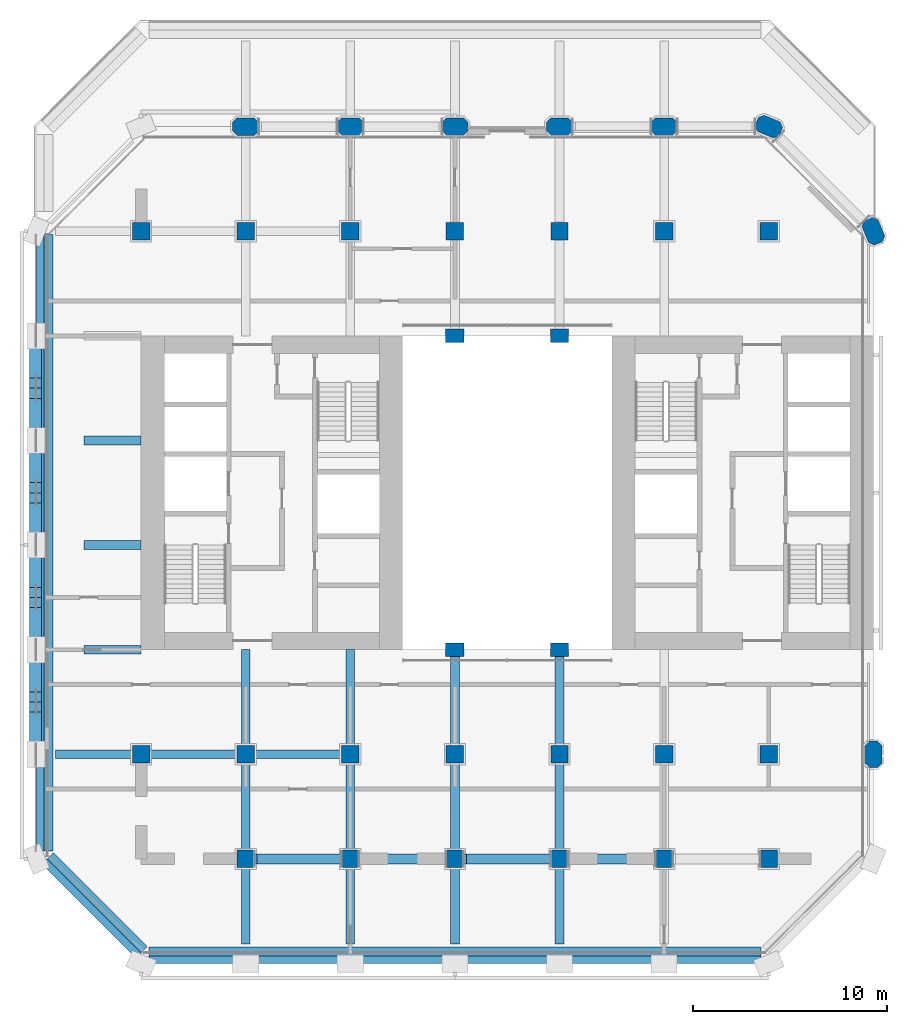
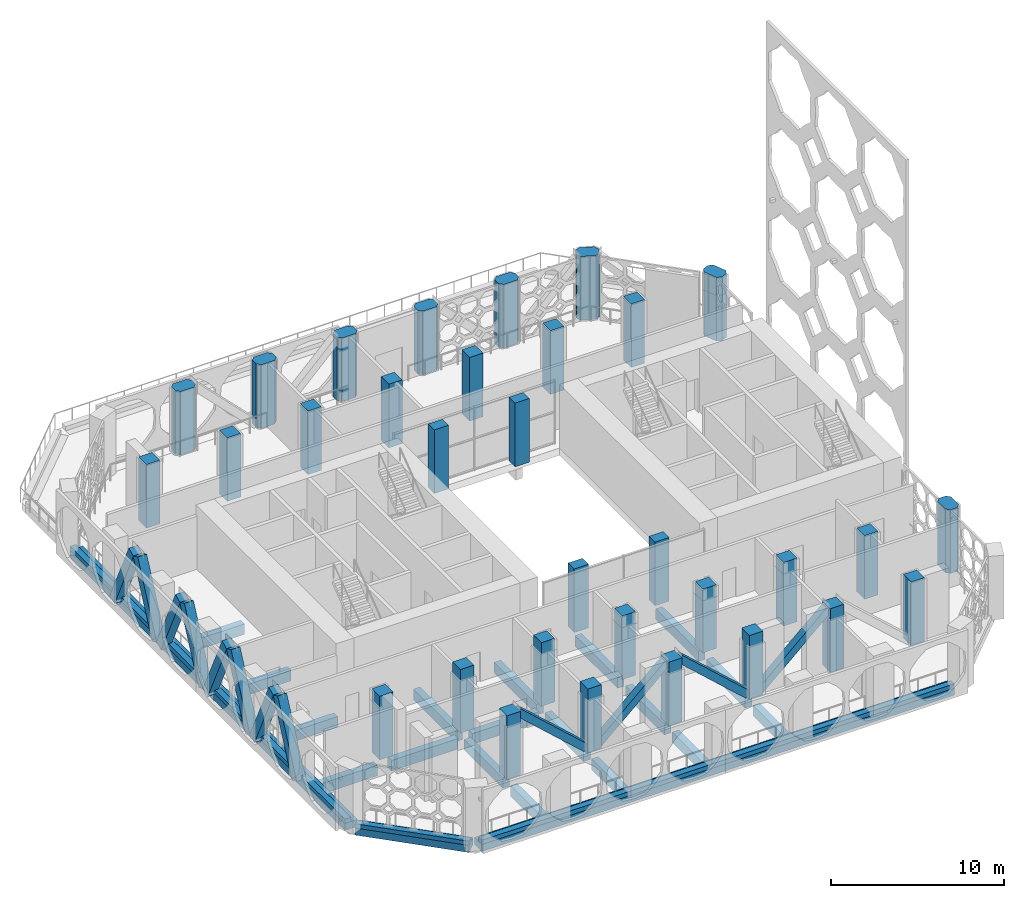
# One storey, part 1 of 17: 32 columns, 24 beams, 12 members.
"""IFC4 building model written with IfcOpenShell, lengths in metres."""

import ifcopenshell
import ifcopenshell.guid

model = None  # the IFC model being written
_history = None  # IfcOwnerHistory: only IFC2X3 demands one
_inside = {}  # id of a spatial element -> (the spatial element, [elements in it])
_under = {}  # id of a project, library or spatial element -> (it, [spatial elements below it])
_declared = {}  # id of a project -> (the project, [libraries it declares])
_typed = {}  # id of a type object -> (the type object, [elements of that type])
_made_of = {}  # id of a material, layer set ... -> (it, [elements and type objects made of it])


def new_model(schema):
    """Start an empty IFC model of exactly this schema.

    Asked for "IFC4X3", IfcOpenShell would pick the latest addendum, in which some entities
    have other attributes; the version numbers below select the first issue.
    IFC2X3 requires an IfcOwnerHistory on every rooted entity: one is made here for all.
    """
    global model, _history
    if schema == "IFC4X3":
        model = ifcopenshell.file(schema_version=(4, 3, 0, 0))
    else:
        model = ifcopenshell.file(schema=schema)
    _inside.clear()
    _under.clear()
    _declared.clear()
    _typed.clear()
    _made_of.clear()
    _history = None
    if model.schema == "IFC2X3":
        org = make("IfcOrganization", Name="unknown")
        user = make(
            "IfcPersonAndOrganization",
            ThePerson=make("IfcPerson", FamilyName="unknown"),
            TheOrganization=org,
        )
        app = make(
            "IfcApplication",
            ApplicationDeveloper=org,
            Version="unknown",
            ApplicationFullName="unknown",
            ApplicationIdentifier="unknown",
        )
        _history = make(
            "IfcOwnerHistory",
            OwningUser=user,
            OwningApplication=app,
            ChangeAction="ADDED",
            CreationDate=0,
        )
    return model


def make(cls, **values):
    """One entity of the class cls with the attributes given. An attribute that is None is left unset."""
    return model.create_entity(
        cls, **{name: value for name, value in values.items() if value is not None}
    )


def rooted(cls, **values):
    """An entity with a GlobalId (a new one), such as an element, a storey or a relation."""
    return make(cls, GlobalId=ifcopenshell.guid.new(), OwnerHistory=_history, **values)


def si_unit(unit_type, name, prefix=None):
    """IfcSIUnit, for example si_unit("LENGTHUNIT", "METRE", prefix="MILLI")."""
    return make("IfcSIUnit", UnitType=unit_type, Prefix=prefix, Name=name)


def assignment(units):
    """IfcUnitAssignment: the units of a project."""
    return None if units is None else make("IfcUnitAssignment", Units=units)


def point(xyz):
    """IfcCartesianPoint."""
    return None if xyz is None else make("IfcCartesianPoint", Coordinates=xyz)


def direction(xyz):
    """IfcDirection."""
    return None if xyz is None else make("IfcDirection", DirectionRatios=xyz)


def frame(location, z_axis=None, x_axis=None):
    """IfcAxis2Placement3D, a coordinate frame: its origin and axes. An axis left out is left unset."""
    return make(
        "IfcAxis2Placement3D",
        Location=point(location),
        Axis=direction(z_axis),
        RefDirection=direction(x_axis),
    )


def frame_2d(location, x_axis=None):
    """IfcAxis2Placement2D, a coordinate frame in the plane: its origin and x axis."""
    return make(
        "IfcAxis2Placement2D", Location=point(location), RefDirection=direction(x_axis)
    )


def origin():
    """The frame at (0, 0, 0) with its axes left unset."""
    return frame((0.0, 0.0, 0.0))


def origin_2d():
    """The frame at (0, 0) in the plane with its x axis left unset."""
    return frame_2d((0.0, 0.0))


def place(relative_to, where):
    """IfcLocalPlacement: puts the frame where relative to a parent placement (None: the world)."""
    return make(
        "IfcLocalPlacement", PlacementRelTo=relative_to, RelativePlacement=where
    )


def context(
    kind, dimensions, precision=None, world=None, true_north=None, identifier=None
):
    """IfcGeometricRepresentationContext, for example the 3D "Model" context."""
    return make(
        "IfcGeometricRepresentationContext",
        ContextIdentifier=identifier,
        ContextType=kind,
        CoordinateSpaceDimension=dimensions,
        Precision=precision,
        WorldCoordinateSystem=world,
        TrueNorth=true_north,
    )


def subcontext(parent, identifier, kind, view, scale=None):
    """IfcGeometricRepresentationSubContext, for example "Body" below "Model"."""
    return make(
        "IfcGeometricRepresentationSubContext",
        ContextIdentifier=identifier,
        ContextType=kind,
        ParentContext=parent,
        TargetScale=scale,
        TargetView=view,
    )


def project(units=None, contexts=None):
    """IfcProject with its units and contexts."""
    return rooted(
        "IfcProject",
        Name="project",
        RepresentationContexts=contexts,
        UnitsInContext=assignment(units),
    )


def spatial(cls, under=None, at=None, **own):
    """A site, building, storey or space (cls), placed at a placement, below another one or the project."""
    s = rooted(cls, ObjectPlacement=at, **own)
    if under is not None:
        _under.setdefault(under.id(), (under, []))[1].append(s)
    return s


def polyline(points):
    """IfcPolyline through the points."""
    return make("IfcPolyline", Points=[point(p) for p in points])


def profile(cls, at=None, kind="AREA", **sizes):
    """A parametric profile (cls). Its sizes go by their IFC names, for example OverallWidth=200.0."""
    return make(cls, ProfileType=kind, Position=at, **sizes)


def rectangle(**sizes):
    """IfcRectangleProfileDef."""
    return profile("IfcRectangleProfileDef", **sizes)


def outline(outer, holes=None, kind="AREA"):
    """IfcArbitraryClosedProfileDef: a profile drawn as a closed curve; with holes, ...WithVoids."""
    if holes is None:
        return make("IfcArbitraryClosedProfileDef", ProfileType=kind, OuterCurve=outer)
    return make(
        "IfcArbitraryProfileDefWithVoids",
        ProfileType=kind,
        OuterCurve=outer,
        InnerCurves=holes,
    )


def extrude(swept, where, along, depth):
    """IfcExtrudedAreaSolid: the profile swept, set in the frame where, extruded along a direction by depth."""
    return make(
        "IfcExtrudedAreaSolid",
        SweptArea=swept,
        Position=where,
        ExtrudedDirection=direction(along),
        Depth=depth,
    )


def shape(context_of_items, identifier, shape_type, items):
    """IfcShapeRepresentation: the items that make up one representation, for example the "Body"."""
    return make(
        "IfcShapeRepresentation",
        ContextOfItems=context_of_items,
        RepresentationIdentifier=identifier,
        RepresentationType=shape_type,
        Items=items,
    )


def material(Name=None, Category=None):
    """IfcMaterial."""
    return make("IfcMaterial", Name=Name, Category=Category)


def material_profile(
    of_material, cross_section, Name=None, Category=None, Priority=None
):
    """IfcMaterialProfile: a cross section and its material."""
    return make(
        "IfcMaterialProfile",
        Name=Name,
        Material=of_material,
        Profile=cross_section,
        Priority=Priority,
        Category=Category,
    )


def profile_set(profiles, Name=None, composite=None):
    """IfcMaterialProfileSet."""
    return make(
        "IfcMaterialProfileSet",
        Name=Name,
        MaterialProfiles=profiles,
        CompositeProfile=composite,
    )


def made_of(thing, what):
    """Note that an element or type object is made of a material, layer set ...; save() writes the relation."""
    if what is not None:
        _made_of.setdefault(what.id(), (what, []))[1].append(thing)
    return thing


def type_object(cls, material=None, **own):
    """A type object (cls), such as IfcWallType, which elements share."""
    return made_of(rooted(cls, **own), material)


def element(
    cls,
    number,
    at=None,
    inside=None,
    cuts=None,
    type_object=None,
    material=None,
    context=None,
    identifier="Body",
    shape_type=None,
    held_by="IfcProductDefinitionShape",
    body=None,
    shapes=None,
    **own,
):
    """One element of the class cls, such as IfcWall. Its Tag is "e" and its number.

    at: its placement. inside: the storey or other place that contains it. cuts: it is an
    opening in that element (IfcRelVoidsElement). A single representation is given by context,
    identifier, shape_type and body (its items); several are given by shapes. held_by: the class
    of the entity that holds the representations. save() writes the other relations.
    """
    e = rooted(cls, Tag="e%d" % number, ObjectPlacement=at, **own)
    if body is not None:
        shapes = [shape(context, identifier, shape_type, body)]
    if shapes is not None:
        e.Representation = make(held_by, Representations=shapes)
    if inside is not None:
        _inside.setdefault(inside.id(), (inside, []))[1].append(e)
    if cuts is not None:
        rooted(
            "IfcRelVoidsElement", RelatingBuildingElement=cuts, RelatedOpeningElement=e
        )
    if type_object is not None:
        _typed.setdefault(type_object.id(), (type_object, []))[1].append(e)
    return made_of(e, material)


def aggregate(whole, parts):
    """IfcRelAggregates: a whole, such as a stair, and the parts it consists of."""
    return rooted("IfcRelAggregates", RelatingObject=whole, RelatedObjects=parts)


def save(model, path):
    """Write the relations noted so far, then the file.

    IfcRelAggregates (storeys below a building ...), IfcRelContainedInSpatialStructure (elements
    in a storey), IfcRelDefinesByType, IfcRelAssociatesMaterial and IfcRelDeclares: one each for
    every whole, place, type object, material and project.
    """
    for whole, parts in _under.values():
        aggregate(whole, parts)
    for where, things in _inside.values():
        rooted(
            "IfcRelContainedInSpatialStructure",
            RelatedElements=things,
            RelatingStructure=where,
        )
    for kind, things in _typed.values():
        rooted("IfcRelDefinesByType", RelatedObjects=things, RelatingType=kind)
    for what, things in _made_of.values():
        rooted("IfcRelAssociatesMaterial", RelatedObjects=things, RelatingMaterial=what)
    for by, libraries in _declared.values():
        rooted("IfcRelDeclares", RelatingContext=by, RelatedDefinitions=libraries)
    model.write(path)


model = new_model("IFC4")

# Units and contexts
model_context = context("Model", 3, precision=1e-05, world=origin(), true_north=direction((0.0, 1.0)))
body_context = subcontext(model_context, "Body", "Model", "MODEL_VIEW")
ifc_project = project(units=[si_unit("LENGTHUNIT", "METRE"), si_unit("AREAUNIT", "SQUARE_METRE"), si_unit("VOLUMEUNIT", "CUBIC_METRE"), si_unit("PLANEANGLEUNIT", "RADIAN"), si_unit("MASSUNIT", "GRAM", prefix="KILO")], contexts=[model_context])

# Site, building, storey
site_placement = place(None, origin())
site = spatial("IfcSite", under=ifc_project, at=site_placement, CompositionType="ELEMENT")
building_placement = place(site_placement, origin())
building = spatial("IfcBuilding", under=site, at=building_placement, Name="Tabaq Tower and Sports Hall", CompositionType="ELEMENT")
storey_placement = place(building_placement, frame((0.0, 0.0, 125.800048828125)))
storey = spatial("IfcBuildingStorey", under=building, at=storey_placement, Name="L30", CompositionType="ELEMENT", Elevation=125.800048828125)

# Columns
ifc_material_1 = material(Name="Concrete C50/60", Category="concrete")
ifc_material_profile_1 = material_profile(ifc_material_1, rectangle(XDim=0.949951171875, YDim=0.699951171875, at=origin_2d()), Name="ATRIUM COLUMN 950x700")
ifc_profile_set_1 = profile_set([ifc_material_profile_1], Name="Concrete C50/60")
column_type_1 = type_object("IfcColumnType", Name="RC COLUMN ATRIUM COLUMN 950x700 C50/60", PredefinedType="COLUMN", material=ifc_profile_set_1)
for number, where, z_axis, x_axis, name in (
    (1, (21.60009765625, 16.199951171875, 0.0), (0.0, 0.0, 1.0), (1.0, 0.0, 0.0), "Atrium Column 5/D L30"),
    (2, (27.0, 16.199951171875, 0.0), (0.0, 0.0, 1.0), (1.0, 0.0, 0.0), "Atrium Column 6/D L30"),
    (3, (21.60009765625, 32.39990234375, 0.0), (0.0, 0.0, 1.0), (1.0, 0.0, 0.0), "Atrium Column 5/G L30"),
    (4, (27.0, 32.39990234375, 0.0), (0.0, 0.0, 1.0), (1.0, 0.0, 0.0), "Atrium Column 6/G L30"),
):
    element("IfcColumn", number, at=place(storey_placement, frame(where, z_axis=z_axis, x_axis=x_axis)), inside=storey, type_object=column_type_1, Name=name, PredefinedType="COLUMN", context=body_context, shape_type="SweptSolid", body=[
        extrude(rectangle(XDim=0.949951171875, YDim=0.699951171875, at=origin_2d()), origin(), (0.0, 0.0, 1.0), 4.5),
    ])
ifc_material_2 = material(Name="Concrete C50/60", Category="concrete")
ifc_material_profile_2 = material_profile(ifc_material_2, rectangle(XDim=0.89990234375, YDim=0.89990234375, at=origin_2d()), Name="COLUMN 900x900")
ifc_profile_set_2 = profile_set([ifc_material_profile_2], Name="Concrete C50/60")
column_type_2 = type_object("IfcColumnType", Name="RC COLUMN COLUMN 900x900 C50/60", PredefinedType="COLUMN", material=ifc_profile_set_2)
for number, where, z_axis, x_axis, name in (
    (5, (10.800048828125, 5.39990234375, 0.0), (0.0, 0.0, 1.0), (1.0, 0.0, 0.0), "Column 3/B L30"),
    (6, (16.199951171875, 5.39990234375, 0.0), (0.0, 0.0, 1.0), (1.0, 0.0, 0.0), "Column 4/B L30"),
    (7, (21.60009765625, 5.39990234375, 0.0), (0.0, 0.0, 1.0), (1.0, 0.0, 0.0), "Column 5/B L30"),
    (8, (27.0, 5.39990234375, 0.0), (0.0, 0.0, 1.0), (1.0, 0.0, 0.0), "Column 6/B L30"),
    (9, (32.39990234375, 5.39990234375, 0.0), (0.0, 0.0, 1.0), (1.0, 0.0, 0.0), "Column 7/B L30"),
    (10, (37.800048828125, 5.39990234375, 0.0), (0.0, 0.0, 1.0), (1.0, 0.0, 0.0), "Column 8/B L30"),
    (11, (5.39990234375, 10.800048828125, 0.0), (0.0, 0.0, 1.0), (1.0, 0.0, 0.0), "Column 2/C L30"),
    (12, (10.800048828125, 10.800048828125, 0.0), (0.0, 0.0, 1.0), (1.0, 0.0, 0.0), "Column 3/C L30"),
    (13, (16.199951171875, 10.800048828125, 0.0), (0.0, 0.0, 1.0), (1.0, 0.0, 0.0), "Column 4/C L30"),
    (14, (21.60009765625, 10.800048828125, 0.0), (0.0, 0.0, 1.0), (1.0, 0.0, 0.0), "Column 5/C L30"),
    (15, (27.0, 10.800048828125, 0.0), (0.0, 0.0, 1.0), (1.0, 0.0, 0.0), "Column 6/C L30"),
    (16, (32.39990234375, 10.800048828125, 0.0), (0.0, 0.0, 1.0), (1.0, 0.0, 0.0), "Column 7/C L30"),
    (17, (37.800048828125, 10.800048828125, 0.0), (0.0, 0.0, 1.0), (1.0, 0.0, 0.0), "Column 8/C L30"),
    (18, (5.39990234375, 37.800048828125, 0.0), (0.0, 0.0, 1.0), (1.0, 0.0, 0.0), "Column 2/H L30"),
    (19, (10.800048828125, 37.800048828125, 0.0), (0.0, 0.0, 1.0), (1.0, 0.0, 0.0), "Column 3/H L30"),
    (20, (16.199951171875, 37.800048828125, 0.0), (0.0, 0.0, 1.0), (1.0, 0.0, 0.0), "Column 4/H L30"),
    (21, (21.60009765625, 37.800048828125, 0.0), (0.0, 0.0, 1.0), (1.0, 0.0, 0.0), "Column 5/H L30"),
    (22, (27.0, 37.800048828125, 0.0), (0.0, 0.0, 1.0), (1.0, 0.0, 0.0), "Column 6/H L30"),
    (23, (32.39990234375, 37.800048828125, 0.0), (0.0, 0.0, 1.0), (1.0, 0.0, 0.0), "Column 7/H L30"),
    (24, (37.800048828125, 37.800048828125, 0.0), (0.0, 0.0, 1.0), (1.0, 0.0, 0.0), "Column 8/H L30"),
):
    element("IfcColumn", number, at=place(storey_placement, frame(where, z_axis=z_axis, x_axis=x_axis)), inside=storey, type_object=column_type_2, Name=name, PredefinedType="COLUMN", context=body_context, shape_type="SweptSolid", body=[
        extrude(rectangle(XDim=0.89990234375, YDim=0.89990234375, at=origin_2d()), origin(), (0.0, 0.0, 1.0), 4.5),
    ])
ifc_material_3 = material(Name="Concrete C50/60", Category="concrete")
ifc_material_profile_3 = material_profile(ifc_material_3, outline(polyline([(-0.449951171875, -0.449951171875), (0.449951171875, -0.449951171875), (0.675048828125, -0.22509765625), (0.675048828125, 0.22509765625), (0.449951171875, 0.449951171875), (-0.449951171875, 0.449951171875), (-0.675048828125, 0.22509765625), (-0.675048828125, -0.22509765625), (-0.449951171875, -0.449951171875)])), Name="PIER 1350x900")
ifc_profile_set_3 = profile_set([ifc_material_profile_3], Name="Concrete C50/60")
column_type_3 = type_object("IfcColumnType", Name="RC COLUMN PIER 1350x900 C50/60", PredefinedType="COLUMN", material=ifc_profile_set_3)
for number, where, z_axis, x_axis, name in (
    (25, (43.199951171875, 10.800048828125, 0.0), (0.0, 0.0, 1.0), (0.0, 1.0, 0.0), "Pier 9/C L30"),
    (26, (43.199951171875, 37.800048828125, 0.0), (0.0, 0.0, 1.0), (-0.382683432365, 0.923879532511, 0.0), "Pier 9/H L30"),
    (27, (10.800048828125, 43.199951171875, 0.0), (0.0, 0.0, 1.0), (1.0, 0.0, 0.0), "Pier 3/I L30"),
    (28, (16.199951171875, 43.199951171875, 0.0), (0.0, 0.0, 1.0), (1.0, 0.0, 0.0), "Pier 4/I L30"),
    (29, (21.60009765625, 43.199951171875, 0.0), (0.0, 0.0, 1.0), (1.0, 0.0, 0.0), "Pier 5/I L30"),
    (30, (27.0, 43.199951171875, 0.0), (0.0, 0.0, 1.0), (1.0, 0.0, 0.0), "Pier 6/I L30"),
    (31, (32.39990234375, 43.199951171875, 0.0), (0.0, 0.0, 1.0), (1.0, 0.0, 0.0), "Pier 7/I L30"),
    (32, (37.800048828125, 43.199951171875, 0.0), (0.0, 0.0, 1.0), (-0.923879532511, 0.382683432365, 0.0), "Pier 8/I L30"),
):
    element("IfcColumn", number, at=place(storey_placement, frame(where, z_axis=z_axis, x_axis=x_axis)), inside=storey, type_object=column_type_3, Name=name, PredefinedType="COLUMN", context=body_context, shape_type="SweptSolid", body=[
        extrude(outline(polyline([(-0.449951171875, -0.449951171875), (0.449951171875, -0.449951171875), (0.675048828125, -0.22509765625), (0.675048828125, 0.22509765625), (0.449951171875, 0.449951171875), (-0.449951171875, 0.449951171875), (-0.675048828125, 0.22509765625), (-0.675048828125, -0.22509765625), (-0.449951171875, -0.449951171875)])), origin(), (0.0, 0.0, 1.0), 4.5),
    ])

# Beams
ifc_material_4 = material(Name="Concrete C40/50", Category="concrete")
ifc_material_profile_4 = material_profile(ifc_material_4, rectangle(XDim=0.449951171875, YDim=0.75, at=origin_2d()), Name="CB 450x750")
ifc_profile_set_4 = profile_set([ifc_material_profile_4], Name="Concrete C40/50")
beam_type_1 = type_object("IfcBeamType", Name="PT CANTILEVER BEAM CB 450x750 C40/50", PredefinedType="BEAM", material=ifc_profile_set_4)
beam_1_placement = place(storey_placement, frame((0.97509765625, 10.800048828125, -0.875), z_axis=(1.0, 0.0, 0.0), x_axis=(0.0, 1.0, 0.0)))
element("IfcBeam", 33, at=beam_1_placement, inside=storey, type_object=beam_type_1, Name="Cantilever Beam L30 W2 span 1", PredefinedType="BEAM", context=body_context, shape_type="SweptSolid", body=[
    extrude(rectangle(XDim=0.449951171875, YDim=0.75, at=origin_2d()), origin(), (0.0, 0.0, 1.0), 3.949951171875),
])
beam_2_placement = place(storey_placement, frame((5.875, 10.800048828125, -0.875), z_axis=(1.0, 0.0, 0.0), x_axis=(0.0, 1.0, 0.0)))
element("IfcBeam", 34, at=beam_2_placement, inside=storey, type_object=beam_type_1, Name="Cantilever Beam L30 W2 span 2", PredefinedType="BEAM", context=body_context, shape_type="SweptSolid", body=[
    extrude(rectangle(XDim=0.449951171875, YDim=0.75, at=origin_2d()), origin(), (0.0, 0.0, 1.0), 4.449951171875),
])
beam_3_placement = place(storey_placement, frame((11.27490234375, 10.800048828125, -0.875), z_axis=(1.0, 0.0, 0.0), x_axis=(0.0, 1.0, 0.0)))
element("IfcBeam", 35, at=beam_3_placement, inside=storey, type_object=beam_type_1, Name="Cantilever Beam L30 W2 span 3", PredefinedType="BEAM", context=body_context, shape_type="SweptSolid", body=[
    extrude(rectangle(XDim=0.449951171875, YDim=0.75, at=origin_2d()), origin(), (0.0, 0.0, 1.0), 4.4501953125),
])
for number, where, z_axis, x_axis, name in (
    (36, (2.449951171875, 16.199951171875, -0.875), (1.0, 0.0, 0.0), (0.0, 1.0, 0.0), "Cantilever Beam L30 W3 span 1"),
    (37, (2.449951171875, 21.60009765625, -0.875), (1.0, 0.0, 0.0), (0.0, 1.0, 0.0), "Cantilever Beam L30 W4 span 1"),
    (38, (2.449951171875, 27.0, -0.875), (1.0, 0.0, 0.0), (0.0, 1.0, 0.0), "Cantilever Beam L30 W5 span 1"),
):
    element("IfcBeam", number, at=place(storey_placement, frame(where, z_axis=z_axis, x_axis=x_axis)), inside=storey, type_object=beam_type_1, Name=name, PredefinedType="BEAM", context=body_context, shape_type="SweptSolid", body=[
        extrude(rectangle(XDim=0.449951171875, YDim=0.75, at=origin_2d()), origin(), (0.0, 0.0, 1.0), 2.949951171875),
    ])
beam_4_placement = place(storey_placement, frame((10.800048828125, 1.0, -0.875), z_axis=(0.0, 1.0, 0.0), x_axis=(-1.0, 0.0, 0.0)))
element("IfcBeam", 39, at=beam_4_placement, inside=storey, type_object=beam_type_1, Name="Cantilever Beam L30 S2 span 1", PredefinedType="BEAM", context=body_context, shape_type="SweptSolid", body=[
    extrude(rectangle(XDim=0.449951171875, YDim=0.75, at=origin_2d()), origin(), (0.0, 0.0, 1.0), 3.949951171875),
])
beam_5_placement = place(storey_placement, frame((10.800048828125, 5.85009765625, -0.875), z_axis=(0.0, 1.0, 0.0), x_axis=(-1.0, 0.0, 0.0)))
element("IfcBeam", 40, at=beam_5_placement, inside=storey, type_object=beam_type_1, Name="Cantilever Beam L30 S2 span 2", PredefinedType="BEAM", context=body_context, shape_type="SweptSolid", body=[
    extrude(rectangle(XDim=0.449951171875, YDim=0.75, at=origin_2d()), origin(), (0.0, 0.0, 1.0), 4.474853515625),
])
beam_6_placement = place(storey_placement, frame((10.800048828125, 11.27490234375, -0.875), z_axis=(0.0, 1.0, 0.0), x_axis=(-1.0, 0.0, 0.0)))
element("IfcBeam", 41, at=beam_6_placement, inside=storey, type_object=beam_type_1, Name="Cantilever Beam L30 S2 span 3", PredefinedType="BEAM", context=body_context, shape_type="SweptSolid", body=[
    extrude(rectangle(XDim=0.449951171875, YDim=0.75, at=origin_2d()), origin(), (0.0, 0.0, 1.0), 4.925048828125),
])
beam_7_placement = place(storey_placement, frame((16.199951171875, 1.0, -0.875), z_axis=(0.0, 1.0, 0.0), x_axis=(-1.0, 0.0, 0.0)))
element("IfcBeam", 42, at=beam_7_placement, inside=storey, type_object=beam_type_1, Name="Cantilever Beam L30 S3 span 1", PredefinedType="BEAM", context=body_context, shape_type="SweptSolid", body=[
    extrude(rectangle(XDim=0.449951171875, YDim=0.75, at=origin_2d()), origin(), (0.0, 0.0, 1.0), 3.949951171875),
])
beam_8_placement = place(storey_placement, frame((16.199951171875, 5.85009765625, -0.875), z_axis=(0.0, 1.0, 0.0), x_axis=(-1.0, 0.0, 0.0)))
element("IfcBeam", 43, at=beam_8_placement, inside=storey, type_object=beam_type_1, Name="Cantilever Beam L30 S3 span 2", PredefinedType="BEAM", context=body_context, shape_type="SweptSolid", body=[
    extrude(rectangle(XDim=0.449951171875, YDim=0.75, at=origin_2d()), origin(), (0.0, 0.0, 1.0), 4.474853515625),
])
beam_9_placement = place(storey_placement, frame((16.199951171875, 11.27490234375, -0.875), z_axis=(0.0, 1.0, 0.0), x_axis=(-1.0, 0.0, 0.0)))
element("IfcBeam", 44, at=beam_9_placement, inside=storey, type_object=beam_type_1, Name="Cantilever Beam L30 S3 span 3", PredefinedType="BEAM", context=body_context, shape_type="SweptSolid", body=[
    extrude(rectangle(XDim=0.449951171875, YDim=0.75, at=origin_2d()), origin(), (0.0, 0.0, 1.0), 4.925048828125),
])
beam_10_placement = place(storey_placement, frame((21.60009765625, 1.0, -0.875), z_axis=(0.0, 1.0, 0.0), x_axis=(-1.0, 0.0, 0.0)))
element("IfcBeam", 45, at=beam_10_placement, inside=storey, type_object=beam_type_1, Name="Cantilever Beam L30 S4 span 1", PredefinedType="BEAM", context=body_context, shape_type="SweptSolid", body=[
    extrude(rectangle(XDim=0.449951171875, YDim=0.75, at=origin_2d()), origin(), (0.0, 0.0, 1.0), 3.949951171875),
])
beam_11_placement = place(storey_placement, frame((21.60009765625, 5.85009765625, -0.875), z_axis=(0.0, 1.0, 0.0), x_axis=(-1.0, 0.0, 0.0)))
element("IfcBeam", 46, at=beam_11_placement, inside=storey, type_object=beam_type_1, Name="Cantilever Beam L30 S4 span 2", PredefinedType="BEAM", context=body_context, shape_type="SweptSolid", body=[
    extrude(rectangle(XDim=0.449951171875, YDim=0.75, at=origin_2d()), origin(), (0.0, 0.0, 1.0), 4.474853515625),
])
beam_12_placement = place(storey_placement, frame((21.60009765625, 11.27490234375, -0.875), z_axis=(0.0, 1.0, 0.0), x_axis=(-1.0, 0.0, 0.0)))
element("IfcBeam", 47, at=beam_12_placement, inside=storey, type_object=beam_type_1, Name="Cantilever Beam L30 S4 span 3", PredefinedType="BEAM", context=body_context, shape_type="SweptSolid", body=[
    extrude(rectangle(XDim=0.449951171875, YDim=0.75, at=origin_2d()), origin(), (0.0, 0.0, 1.0), 4.925048828125),
])
beam_13_placement = place(storey_placement, frame((27.0, 1.0, -0.875), z_axis=(0.0, 1.0, 0.0), x_axis=(-1.0, 0.0, 0.0)))
element("IfcBeam", 48, at=beam_13_placement, inside=storey, type_object=beam_type_1, Name="Cantilever Beam L30 S5 span 1", PredefinedType="BEAM", context=body_context, shape_type="SweptSolid", body=[
    extrude(rectangle(XDim=0.449951171875, YDim=0.75, at=origin_2d()), origin(), (0.0, 0.0, 1.0), 3.949951171875),
])
beam_14_placement = place(storey_placement, frame((27.0, 5.85009765625, -0.875), z_axis=(0.0, 1.0, 0.0), x_axis=(-1.0, 0.0, 0.0)))
element("IfcBeam", 49, at=beam_14_placement, inside=storey, type_object=beam_type_1, Name="Cantilever Beam L30 S5 span 2", PredefinedType="BEAM", context=body_context, shape_type="SweptSolid", body=[
    extrude(rectangle(XDim=0.449951171875, YDim=0.75, at=origin_2d()), origin(), (0.0, 0.0, 1.0), 4.474853515625),
])
beam_15_placement = place(storey_placement, frame((27.0, 11.27490234375, -0.875), z_axis=(0.0, 1.0, 0.0), x_axis=(-1.0, 0.0, 0.0)))
element("IfcBeam", 50, at=beam_15_placement, inside=storey, type_object=beam_type_1, Name="Cantilever Beam L30 S5 span 3", PredefinedType="BEAM", context=body_context, shape_type="SweptSolid", body=[
    extrude(rectangle(XDim=0.449951171875, YDim=0.75, at=origin_2d()), origin(), (0.0, 0.0, 1.0), 4.925048828125),
])
ifc_material_5 = material(Name="Concrete C40/50", Category="concrete")
ifc_material_profile_5 = material_profile(ifc_material_5, rectangle(XDim=0.85009765625, YDim=0.5, at=origin_2d()), Name="EB 850x500")
ifc_profile_set_5 = profile_set([ifc_material_profile_5], Name="Concrete C40/50")
beam_type_2 = type_object("IfcBeamType", Name="PT EDGE BEAM EB 850x500 C40/50", PredefinedType="SPANDREL", material=ifc_profile_set_5)
beam_16_placement = place(storey_placement, frame((0.425048828125, 37.63818359375, -0.25), z_axis=(0.0, -1.0, 0.0), x_axis=(1.0, 0.0, 0.0)))
element("IfcBeam", 51, at=beam_16_placement, inside=storey, type_object=beam_type_2, Name="Edge Beam L30 1", PredefinedType="SPANDREL", context=body_context, shape_type="SweptSolid", body=[
    extrude(rectangle(XDim=0.85009765625, YDim=0.5, at=origin_2d()), origin(), (0.0, 0.0, 1.0), 31.836181640625),
])
beam_17_placement = place(storey_placement, frame((0.584716796875, 5.416259765625, -0.25), z_axis=(0.707106781187, -0.707106781187, 0.0), x_axis=(0.707106781187, 0.707106781187, 0.0)))
element("IfcBeam", 52, at=beam_17_placement, inside=storey, type_object=beam_type_2, Name="Edge Beam L30 2", PredefinedType="SPANDREL", context=body_context, shape_type="SweptSolid", body=[
    extrude(rectangle(XDim=0.85009765625, YDim=0.5, at=origin_2d()), origin(), (0.0, 0.0, 1.0), 6.832763671875),
])
beam_18_placement = place(storey_placement, frame((5.802001953125, 0.425048828125, -0.25), z_axis=(1.0, 0.0, 0.0), x_axis=(0.0, 1.0, 0.0)))
element("IfcBeam", 53, at=beam_18_placement, inside=storey, type_object=beam_type_2, Name="Edge Beam L30 3", PredefinedType="SPANDREL", context=body_context, shape_type="SweptSolid", body=[
    extrude(rectangle(XDim=0.85009765625, YDim=0.5, at=origin_2d()), origin(), (0.0, 0.0, 1.0), 31.595947265625),
])
ifc_material_6 = material(Name="Concrete C40/50", Category="concrete")
ifc_material_profile_6 = material_profile(ifc_material_6, rectangle(XDim=0.39990234375, YDim=0.300048828125, at=origin_2d()), Name="EU 400x300")
ifc_profile_set_6 = profile_set([ifc_material_profile_6], Name="Concrete C40/50")
beam_type_3 = type_object("IfcBeamType", Name="PT EDGE UPSTAND EU 400x300 C40/50", PredefinedType="BEAM", material=ifc_profile_set_6)
beam_19_placement = place(storey_placement, frame((0.199951171875, 37.63818359375, 0.14990234375), z_axis=(0.0, -1.0, 0.0), x_axis=(1.0, 0.0, 0.0)))
element("IfcBeam", 54, at=beam_19_placement, inside=storey, type_object=beam_type_3, Name="Edge Upstand L30 1", PredefinedType="BEAM", context=body_context, shape_type="SweptSolid", body=[
    extrude(rectangle(XDim=0.39990234375, YDim=0.300048828125, at=origin_2d()), origin(), (0.0, 0.0, 1.0), 31.836181640625),
])
beam_20_placement = place(storey_placement, frame((0.42578125, 5.257080078125, 0.14990234375), z_axis=(0.707106781187, -0.707106781187, 0.0), x_axis=(0.707106781187, 0.707106781187, 0.0)))
element("IfcBeam", 55, at=beam_20_placement, inside=storey, type_object=beam_type_3, Name="Edge Upstand L30 2", PredefinedType="BEAM", context=body_context, shape_type="SweptSolid", body=[
    extrude(rectangle(XDim=0.39990234375, YDim=0.300048828125, at=origin_2d()), origin(), (0.0, 0.0, 1.0), 6.83251953125),
])
beam_21_placement = place(storey_placement, frame((5.802001953125, 0.199951171875, 0.14990234375), z_axis=(1.0, 0.0, 0.0), x_axis=(0.0, 1.0, 0.0)))
element("IfcBeam", 56, at=beam_21_placement, inside=storey, type_object=beam_type_3, Name="Edge Upstand L30 3", PredefinedType="BEAM", context=body_context, shape_type="SweptSolid", body=[
    extrude(rectangle(XDim=0.39990234375, YDim=0.300048828125, at=origin_2d()), origin(), (0.0, 0.0, 1.0), 31.595947265625),
])

# Members
ifc_material_7 = material(Name="Concrete C50/60", Category="concrete")
ifc_material_profile_7 = material_profile(ifc_material_7, rectangle(XDim=0.5, YDim=0.5, at=origin_2d()), Name="BELT STRUT 500x500")
ifc_profile_set_7 = profile_set([ifc_material_profile_7], Name="Concrete C50/60")
member_type_1 = type_object("IfcMemberType", Name="RC BELT TRUSS STRUT BELT STRUT 500x500 C50/60", PredefinedType="BRACE", material=ifc_profile_set_7)
member_1_placement = place(storey_placement, frame((15.780029296875, 5.39990234375, 0.185302734375), z_axis=(-0.741242373377, 0.0, 0.671237472069), x_axis=(0.0, -1.0, 0.0)))
element("IfcMember", 57, at=member_1_placement, inside=storey, type_object=member_type_1, Name="Belt Truss Strut L30 6", PredefinedType="BRACE", context=body_context, shape_type="SweptSolid", body=[
    extrude(rectangle(XDim=0.5, YDim=0.5, at=origin_2d()), origin(), (0.0, 0.0, 1.0), 6.15185546875),
])
member_2_placement = place(storey_placement, frame((16.6201171875, 5.39990234375, 0.185302734375), z_axis=(0.741224491982, 0.0, 0.671257217828), x_axis=(0.0, 1.0, 0.0)))
element("IfcMember", 58, at=member_2_placement, inside=storey, type_object=member_type_1, Name="Belt Truss Strut L30 7", PredefinedType="BRACE", context=body_context, shape_type="SweptSolid", body=[
    extrude(rectangle(XDim=0.5, YDim=0.5, at=origin_2d()), origin(), (0.0, 0.0, 1.0), 6.151611328125),
])
for number, where, z_axis, x_axis, name in (
    (59, (26.580078125, 5.39990234375, 0.185302734375), (-0.741242373377, 0.0, 0.671237472069), (0.0, -1.0, 0.0), "Belt Truss Strut L30 8"),
    (60, (27.419921875, 5.39990234375, 0.185302734375), (0.741242373377, 0.0, 0.671237472069), (0.0, 1.0, 0.0), "Belt Truss Strut L30 9"),
):
    element("IfcMember", number, at=place(storey_placement, frame(where, z_axis=z_axis, x_axis=x_axis)), inside=storey, type_object=member_type_1, Name=name, PredefinedType="BRACE", context=body_context, shape_type="SweptSolid", body=[
        extrude(rectangle(XDim=0.5, YDim=0.5, at=origin_2d()), origin(), (0.0, 0.0, 1.0), 6.15185546875),
    ])
ifc_material_8 = material(Name="Concrete C50/60", Category="concrete")
ifc_material_profile_8 = material_profile(ifc_material_8, rectangle(XDim=0.60009765625, YDim=0.60009765625, at=origin_2d()), Name="TRANSFER BAND BRACE 600x600")
ifc_profile_set_8 = profile_set([ifc_material_profile_8], Name="Concrete C50/60")
member_type_2 = type_object("IfcMemberType", Name="RC TRANSFER BAND BRACE 600x600 C50/60", PredefinedType="BRACE", material=ifc_profile_set_8)
for number, where, z_axis, x_axis, name in (
    (61, (-0.050048828125, 11.050048828125, -0.050048828125), (0.0, 0.423936000613, 0.905692148241), (-1.0, 0.0, 0.0), "Transfer Band Brace L30 West 1"),
    (62, (-0.050048828125, 15.949951171875, -0.050048828125), (0.0, -0.423936000613, 0.905692148241), (1.0, 0.0, 0.0), "Transfer Band Brace L30 West 2"),
    (63, (-0.050048828125, 16.449951171875, -0.050048828125), (0.0, 0.423936000613, 0.905692148241), (-1.0, 0.0, 0.0), "Transfer Band Brace L30 West 3"),
    (64, (-0.050048828125, 21.35009765625, -0.050048828125), (0.0, -0.423974590679, 0.905674084016), (1.0, 0.0, 0.0), "Transfer Band Brace L30 West 4"),
    (65, (-0.050048828125, 21.85009765625, -0.050048828125), (0.0, 0.423936000613, 0.905692148241), (-1.0, 0.0, 0.0), "Transfer Band Brace L30 West 5"),
    (66, (-0.050048828125, 26.75, -0.050048828125), (0.0, -0.423936000613, 0.905692148241), (1.0, 0.0, 0.0), "Transfer Band Brace L30 West 6"),
    (67, (-0.050048828125, 27.25, -0.050048828125), (0.0, 0.423936000613, 0.905692148241), (-1.0, 0.0, 0.0), "Transfer Band Brace L30 West 7"),
    (68, (-0.050048828125, 32.14990234375, -0.050048828125), (0.0, -0.423936000613, 0.905692148241), (1.0, 0.0, 0.0), "Transfer Band Brace L30 West 8"),
):
    element("IfcMember", number, at=place(storey_placement, frame(where, z_axis=z_axis, x_axis=x_axis)), inside=storey, type_object=member_type_2, Name=name, PredefinedType="BRACE", context=body_context, shape_type="SweptSolid", body=[
        extrude(rectangle(XDim=0.60009765625, YDim=0.60009765625, at=origin_2d()), origin(), (0.0, 0.0, 1.0), 5.189453125),
    ])

save(model, "model.ifc")
